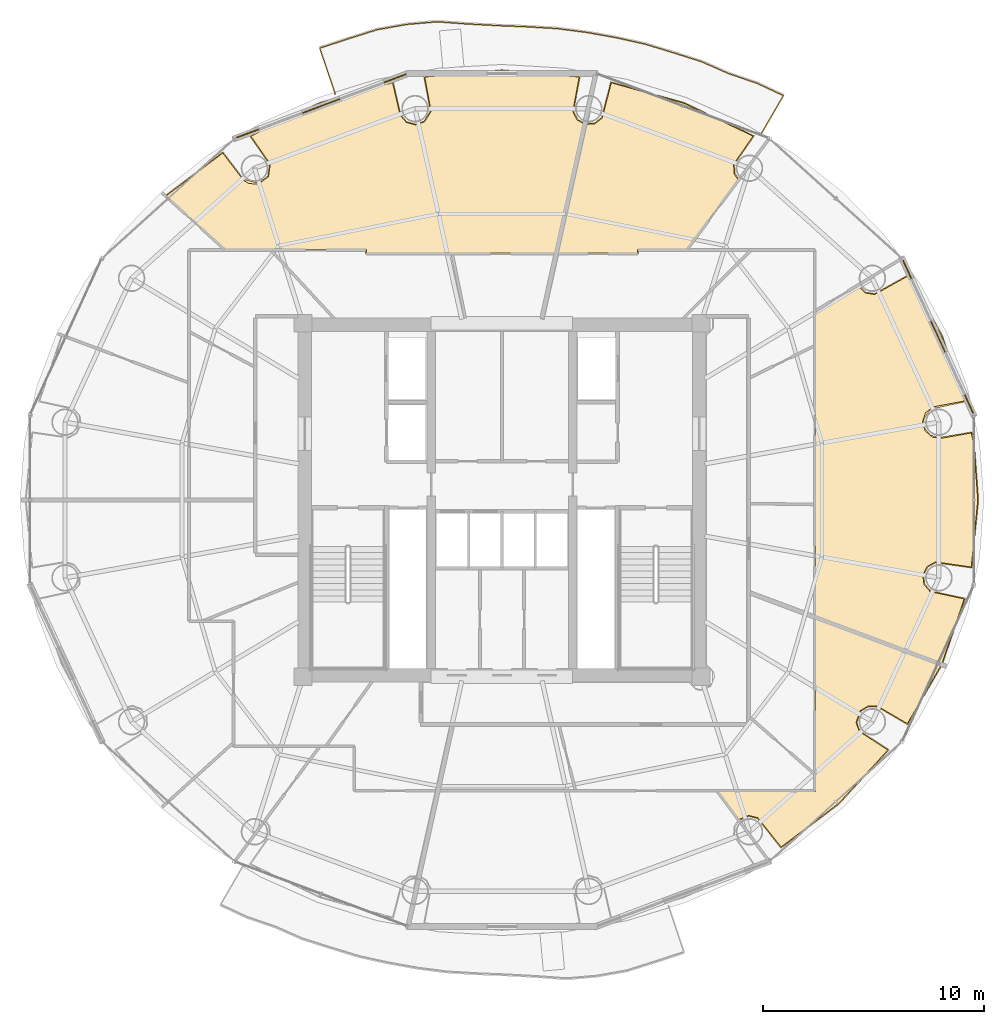
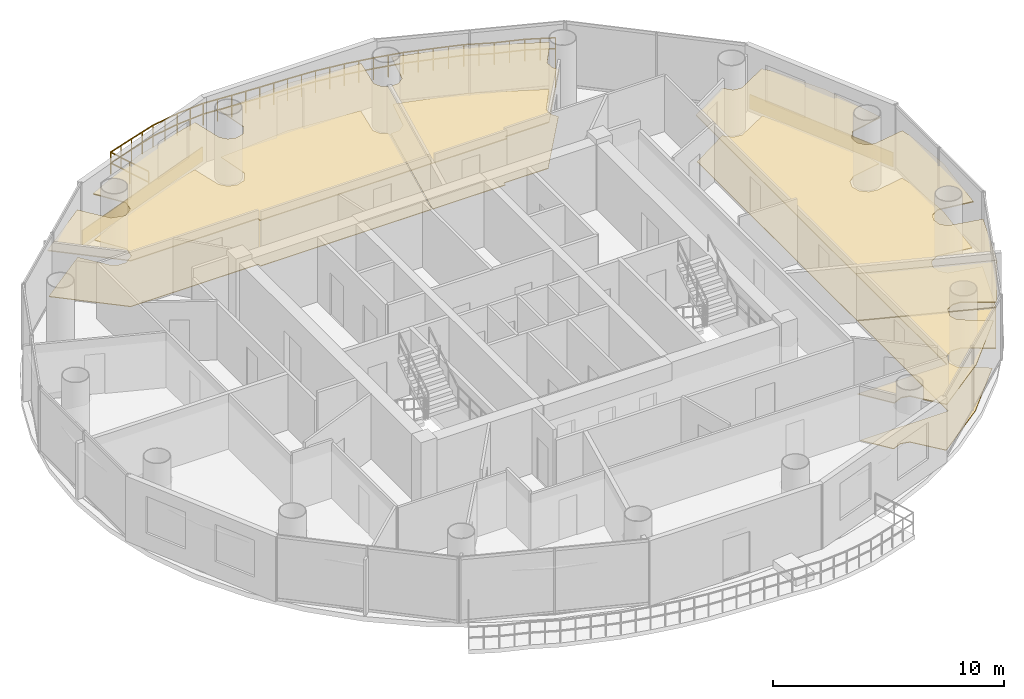
# One storey, part 26 of 26: 10 coverings, 1 railing.
"""IFC4 building model written with IfcOpenShell, lengths in metres."""

from ifc_helpers import new_model, si_unit, direction, frame, origin, origin_2d, place, context, subcontext, project, spatial, polyline, rectangle, outline, extrude, source, transform, mapped, material, layer, layer_set, type_object, element, save


model = new_model("IFC4")

# Units and contexts
model_context = context("Model", 3, precision=1e-05, world=origin(), true_north=direction((-0.2419218956, 0.970295726276)))
body_context = subcontext(model_context, "Body", "Model", "MODEL_VIEW")
ifc_project = project(units=[si_unit("LENGTHUNIT", "METRE"), si_unit("AREAUNIT", "SQUARE_METRE"), si_unit("VOLUMEUNIT", "CUBIC_METRE"), si_unit("PLANEANGLEUNIT", "RADIAN"), si_unit("MASSUNIT", "GRAM", prefix="KILO")], contexts=[model_context])

# Site, building, storey
site_placement = place(None, origin())
site = spatial("IfcSite", under=ifc_project, at=site_placement, CompositionType="ELEMENT")
building_placement = place(site_placement, origin())
building = spatial("IfcBuilding", under=site, at=building_placement, Name="Cobrevalo Terracotta Tower", CompositionType="ELEMENT")
storey_placement = place(building_placement, frame((0.0, 0.0, 235.60009765625)))
storey = spatial("IfcBuildingStorey", under=building, at=storey_placement, Name="L62", CompositionType="ELEMENT", Elevation=235.60009765625)

# Railing
ifc_material_1 = material(Name="Laminated structural glass and stainless steel", Category="steel")
railing_type = type_object("IfcRailingType", Name="Balcony lobe structural glass & terracotta-cap balustrade 1180 mm", PredefinedType="BALUSTRADE", material=ifc_material_1)
railing_placement = place(storey_placement, frame((49.685791015625, 43.28125, 0.0)))
element("IfcRailing", 1, at=railing_placement, inside=storey, type_object=railing_type, Name="L62 spiralling balcony lobe balustrade 1", PredefinedType="BALUSTRADE", context=body_context, shape_type="SweptSolid", body=[
    extrude(rectangle(XDim=0.048095703125, YDim=0.048095703125, at=origin_2d()), frame((0.0, 0.0, 1.15576171875), z_axis=(0.501330510407, 0.865255869287, 0.0), x_axis=(-0.865255869287, 0.501330510407, 0.0)), (0.0, 0.0, 1.0), 2.093017578125),
    extrude(rectangle(XDim=0.048095703125, YDim=0.048095703125, at=origin_2d()), frame((0.0, 0.0, 0.58984375), z_axis=(0.501330510407, 0.865255869287, 0.0), x_axis=(-0.865255869287, 0.501330510407, 0.0)), (0.0, 0.0, 1.0), 2.093017578125),
    extrude(rectangle(XDim=0.048095703125, YDim=0.048095703125, at=origin_2d()), frame((1.04931640625, 1.81103515625, 1.15576171875), z_axis=(-0.906042804807, 0.423186053477, 0.0), x_axis=(-0.423186053477, -0.906042804807, 0.0)), (0.0, 0.0, 1.0), 1.333740234375),
    extrude(rectangle(XDim=0.048095703125, YDim=0.048095703125, at=origin_2d()), frame((1.04931640625, 1.81103515625, 0.58984375), z_axis=(-0.906042804807, 0.423186053477, 0.0), x_axis=(-0.423186053477, -0.906042804807, 0.0)), (0.0, 0.0, 1.0), 1.333740234375),
    extrude(rectangle(XDim=0.048095703125, YDim=0.048095703125, at=origin_2d()), frame((-0.1591796875, 2.37548828125, 1.15576171875), z_axis=(-0.946852382666, 0.321668409142, 0.0), x_axis=(-0.321668409142, -0.946852382666, 0.0)), (0.0, 0.0, 1.0), 1.344970703125),
    extrude(rectangle(XDim=0.048095703125, YDim=0.048095703125, at=origin_2d()), frame((-0.1591796875, 2.37548828125, 0.58984375), z_axis=(-0.946852382666, 0.321668409142, 0.0), x_axis=(-0.321668409142, -0.946852382666, 0.0)), (0.0, 0.0, 1.0), 1.344970703125),
    extrude(rectangle(XDim=0.048095703125, YDim=0.048095703125, at=origin_2d()), frame((-1.4326171875, 2.80810546875, 1.15576171875), z_axis=(-0.91507701378, 0.403279132675, 0.0), x_axis=(-0.403279132675, -0.91507701378, 0.0)), (0.0, 0.0, 1.0), 1.331787109375),
    extrude(rectangle(XDim=0.048095703125, YDim=0.048095703125, at=origin_2d()), frame((-1.4326171875, 2.80810546875, 0.58984375), z_axis=(-0.91507701378, 0.403279132675, 0.0), x_axis=(-0.403279132675, -0.91507701378, 0.0)), (0.0, 0.0, 1.0), 1.331787109375),
    extrude(rectangle(XDim=0.048095703125, YDim=0.048095703125, at=origin_2d()), frame((-2.6513671875, 3.34521484375, 1.15576171875), z_axis=(-0.953224239843, 0.302264037849, 0.0), x_axis=(-0.302264037849, -0.953224239843, 0.0)), (0.0, 0.0, 1.0), 1.3408203125),
    extrude(rectangle(XDim=0.048095703125, YDim=0.048095703125, at=origin_2d()), frame((-2.6513671875, 3.34521484375, 0.58984375), z_axis=(-0.953224239843, 0.302264037849, 0.0), x_axis=(-0.302264037849, -0.953224239843, 0.0)), (0.0, 0.0, 1.0), 1.3408203125),
    extrude(rectangle(XDim=0.048095703125, YDim=0.048095703125, at=origin_2d()), frame((-3.929443359375, 3.75048828125, 1.15576171875), z_axis=(-0.956422199644, 0.291987287444, 0.0), x_axis=(-0.291987287444, -0.956422199644, 0.0)), (0.0, 0.0, 1.0), 1.341064453125),
    extrude(rectangle(XDim=0.048095703125, YDim=0.048095703125, at=origin_2d()), frame((-3.929443359375, 3.75048828125, 0.58984375), z_axis=(-0.956422199644, 0.291987287444, 0.0), x_axis=(-0.291987287444, -0.956422199644, 0.0)), (0.0, 0.0, 1.0), 1.341064453125),
    extrude(rectangle(XDim=0.048095703125, YDim=0.048095703125, at=origin_2d()), frame((-5.212158203125, 4.14208984375, 1.15576171875), z_axis=(-0.976472605786, 0.215641485222, 0.0), x_axis=(-0.215641485222, -0.976472605786, 0.0)), (0.0, 0.0, 1.0), 1.343994140625),
    extrude(rectangle(XDim=0.048095703125, YDim=0.048095703125, at=origin_2d()), frame((-5.212158203125, 4.14208984375, 0.58984375), z_axis=(-0.976472605786, 0.215641485222, 0.0), x_axis=(-0.215641485222, -0.976472605786, 0.0)), (0.0, 0.0, 1.0), 1.343994140625),
    extrude(rectangle(XDim=0.048095703125, YDim=0.048095703125, at=origin_2d()), frame((-6.5244140625, 4.431884765625, 1.15576171875), z_axis=(-0.984276053108, 0.176637060884, 0.0), x_axis=(-0.176637060884, -0.984276053108, 0.0)), (0.0, 0.0, 1.0), 1.34765625),
    extrude(rectangle(XDim=0.048095703125, YDim=0.048095703125, at=origin_2d()), frame((-6.5244140625, 4.431884765625, 0.58984375), z_axis=(-0.984276053108, 0.176637060884, 0.0), x_axis=(-0.176637060884, -0.984276053108, 0.0)), (0.0, 0.0, 1.0), 1.34765625),
    extrude(rectangle(XDim=0.048095703125, YDim=0.048095703125, at=origin_2d()), frame((-7.850830078125, 4.669921875, 1.15576171875), z_axis=(-0.991753356917, 0.128161144826, 0.0), x_axis=(-0.128161144826, -0.991753356917, 0.0)), (0.0, 0.0, 1.0), 1.3466796875),
    extrude(rectangle(XDim=0.048095703125, YDim=0.048095703125, at=origin_2d()), frame((-7.850830078125, 4.669921875, 0.58984375), z_axis=(-0.991753356917, 0.128161144826, 0.0), x_axis=(-0.128161144826, -0.991753356917, 0.0)), (0.0, 0.0, 1.0), 1.3466796875),
    extrude(rectangle(XDim=0.048095703125, YDim=0.048095703125, at=origin_2d()), frame((-9.1865234375, 4.842529296875, 1.15576171875), z_axis=(-0.99819879056, 0.059993120649, 0.0), x_axis=(-0.059993120649, -0.99819879056, 0.0)), (0.0, 0.0, 1.0), 1.35107421875),
    extrude(rectangle(XDim=0.048095703125, YDim=0.048095703125, at=origin_2d()), frame((-9.1865234375, 4.842529296875, 0.58984375), z_axis=(-0.99819879056, 0.059993120649, 0.0), x_axis=(-0.059993120649, -0.99819879056, 0.0)), (0.0, 0.0, 1.0), 1.35107421875),
    extrude(rectangle(XDim=0.048095703125, YDim=0.048095703125, at=origin_2d()), frame((-10.53515625, 4.923583984375, 1.15576171875), z_axis=(-0.999193719982, 0.040148598341, 0.0), x_axis=(-0.040148598341, -0.999193719982, 0.0)), (0.0, 0.0, 1.0), 1.349853515625),
    extrude(rectangle(XDim=0.048095703125, YDim=0.048095703125, at=origin_2d()), frame((-10.53515625, 4.923583984375, 0.58984375), z_axis=(-0.999193719982, 0.040148598341, 0.0), x_axis=(-0.040148598341, -0.999193719982, 0.0)), (0.0, 0.0, 1.0), 1.349853515625),
    extrude(rectangle(XDim=0.048095703125, YDim=0.048095703125, at=origin_2d()), frame((-11.884033203125, 4.977783203125, 1.15576171875), z_axis=(-0.998538871626, 0.054038151809, 0.0), x_axis=(-0.054038151809, -0.998538871626, 0.0)), (0.0, 0.0, 1.0), 1.35986328125),
    extrude(rectangle(XDim=0.048095703125, YDim=0.048095703125, at=origin_2d()), frame((-11.884033203125, 4.977783203125, 0.58984375), z_axis=(-0.998538871626, 0.054038151809, 0.0), x_axis=(-0.054038151809, -0.998538871626, 0.0)), (0.0, 0.0, 1.0), 1.35986328125),
    extrude(rectangle(XDim=0.048095703125, YDim=0.048095703125, at=origin_2d()), frame((-13.241943359375, 5.05126953125, 1.15576171875), z_axis=(-0.997393656482, 0.072151881533, 0.0), x_axis=(-0.072151881533, -0.997393656482, 0.0)), (0.0, 0.0, 1.0), 1.380615234375),
    extrude(rectangle(XDim=0.048095703125, YDim=0.048095703125, at=origin_2d()), frame((-13.241943359375, 5.05126953125, 0.58984375), z_axis=(-0.997393656482, 0.072151881533, 0.0), x_axis=(-0.072151881533, -0.997393656482, 0.0)), (0.0, 0.0, 1.0), 1.380615234375),
    extrude(rectangle(XDim=0.048095703125, YDim=0.048095703125, at=origin_2d()), frame((-14.618896484375, 5.15087890625, 1.15576171875), z_axis=(-0.996297924176, -0.085967704879, 0.0), x_axis=(0.085967704879, -0.996297924176, 0.0)), (0.0, 0.0, 1.0), 1.368896484375),
    extrude(rectangle(XDim=0.048095703125, YDim=0.048095703125, at=origin_2d()), frame((-14.618896484375, 5.15087890625, 0.58984375), z_axis=(-0.996297924176, -0.085967704879, 0.0), x_axis=(0.085967704879, -0.996297924176, 0.0)), (0.0, 0.0, 1.0), 1.368896484375),
    extrude(rectangle(XDim=0.048095703125, YDim=0.048095703125, at=origin_2d()), frame((-15.982666015625, 5.033203125, 1.15576171875), z_axis=(-0.984535223792, -0.175186737832, 0.0), x_axis=(0.175186737832, -0.984535223792, 0.0)), (0.0, 0.0, 1.0), 1.371337890625),
    extrude(rectangle(XDim=0.048095703125, YDim=0.048095703125, at=origin_2d()), frame((-15.982666015625, 5.033203125, 0.58984375), z_axis=(-0.984535223792, -0.175186737832, 0.0), x_axis=(0.175186737832, -0.984535223792, 0.0)), (0.0, 0.0, 1.0), 1.371337890625),
    extrude(rectangle(XDim=0.048095703125, YDim=0.048095703125, at=origin_2d()), frame((-17.332763671875, 4.79296875, 1.15576171875), z_axis=(-0.953655593491, -0.30090033068, 0.0), x_axis=(0.30090033068, -0.953655593491, 0.0)), (0.0, 0.0, 1.0), 1.365478515625),
    extrude(rectangle(XDim=0.048095703125, YDim=0.048095703125, at=origin_2d()), frame((-17.332763671875, 4.79296875, 0.58984375), z_axis=(-0.953655593491, -0.30090033068, 0.0), x_axis=(0.30090033068, -0.953655593491, 0.0)), (0.0, 0.0, 1.0), 1.365478515625),
    extrude(rectangle(XDim=0.048095703125, YDim=0.048095703125, at=origin_2d()), frame((-18.635009765625, 4.382080078125, 1.15576171875), z_axis=(-0.95030353613, -0.311324893351, 0.0), x_axis=(0.311324893351, -0.95030353613, 0.0)), (0.0, 0.0, 1.0), 1.360595703125),
    extrude(rectangle(XDim=0.048095703125, YDim=0.048095703125, at=origin_2d()), frame((-18.635009765625, 4.382080078125, 0.58984375), z_axis=(-0.95030353613, -0.311324893351, 0.0), x_axis=(0.311324893351, -0.95030353613, 0.0)), (0.0, 0.0, 1.0), 1.360595703125),
    extrude(rectangle(XDim=0.048095703125, YDim=0.048095703125, at=origin_2d()), frame((-19.927978515625, 3.95849609375, 1.15576171875), z_axis=(0.318322534742, -0.947982470236, 0.0), x_axis=(0.947982470236, 0.318322534742, 0.0)), (0.0, 0.0, 1.0), 2.201904296875),
    extrude(rectangle(XDim=0.048095703125, YDim=0.048095703125, at=origin_2d()), frame((-19.927978515625, 3.95849609375, 0.58984375), z_axis=(0.318322534742, -0.947982470236, 0.0), x_axis=(0.947982470236, 0.318322534742, 0.0)), (0.0, 0.0, 1.0), 2.201904296875),
    extrude(rectangle(XDim=0.0419921875, YDim=0.0419921875, at=origin_2d()), origin(), (0.0, 0.0, 1.0), 1.1318359375),
    extrude(rectangle(XDim=0.0419921875, YDim=0.0419921875, at=origin_2d()), frame((0.524658203125, 0.905517578125, 0.0)), (0.0, 0.0, 1.0), 1.1318359375),
    extrude(rectangle(XDim=0.0419921875, YDim=0.0419921875, at=origin_2d()), frame((1.04931640625, 1.81103515625, 0.0)), (0.0, 0.0, 1.0), 1.1318359375),
    extrude(rectangle(XDim=0.0419921875, YDim=0.0419921875, at=origin_2d()), frame((0.445068359375, 2.09326171875, 0.0)), (0.0, 0.0, 1.0), 1.1318359375),
    extrude(rectangle(XDim=0.0419921875, YDim=0.0419921875, at=origin_2d()), frame((-0.1591796875, 2.37548828125, 0.0)), (0.0, 0.0, 1.0), 1.1318359375),
    extrude(rectangle(XDim=0.0419921875, YDim=0.0419921875, at=origin_2d()), frame((-0.7958984375, 2.591796875, 0.0)), (0.0, 0.0, 1.0), 1.1318359375),
    extrude(rectangle(XDim=0.0419921875, YDim=0.0419921875, at=origin_2d()), frame((-1.4326171875, 2.80810546875, 0.0)), (0.0, 0.0, 1.0), 1.1318359375),
    extrude(rectangle(XDim=0.0419921875, YDim=0.0419921875, at=origin_2d()), frame((-2.0419921875, 3.07666015625, 0.0)), (0.0, 0.0, 1.0), 1.1318359375),
    extrude(rectangle(XDim=0.0419921875, YDim=0.0419921875, at=origin_2d()), frame((-2.6513671875, 3.34521484375, 0.0)), (0.0, 0.0, 1.0), 1.1318359375),
    extrude(rectangle(XDim=0.0419921875, YDim=0.0419921875, at=origin_2d()), frame((-3.29052734375, 3.5478515625, 0.0)), (0.0, 0.0, 1.0), 1.1318359375),
    extrude(rectangle(XDim=0.0419921875, YDim=0.0419921875, at=origin_2d()), frame((-3.929443359375, 3.75048828125, 0.0)), (0.0, 0.0, 1.0), 1.1318359375),
    extrude(rectangle(XDim=0.0419921875, YDim=0.0419921875, at=origin_2d()), frame((-4.57080078125, 3.9462890625, 0.0)), (0.0, 0.0, 1.0), 1.1318359375),
    extrude(rectangle(XDim=0.0419921875, YDim=0.0419921875, at=origin_2d()), frame((-5.212158203125, 4.14208984375, 0.0)), (0.0, 0.0, 1.0), 1.1318359375),
    extrude(rectangle(XDim=0.0419921875, YDim=0.0419921875, at=origin_2d()), frame((-5.8681640625, 4.287109375, 0.0)), (0.0, 0.0, 1.0), 1.1318359375),
    extrude(rectangle(XDim=0.0419921875, YDim=0.0419921875, at=origin_2d()), frame((-6.5244140625, 4.431884765625, 0.0)), (0.0, 0.0, 1.0), 1.1318359375),
    extrude(rectangle(XDim=0.0419921875, YDim=0.0419921875, at=origin_2d()), frame((-7.1875, 4.55078125, 0.0)), (0.0, 0.0, 1.0), 1.1318359375),
    extrude(rectangle(XDim=0.0419921875, YDim=0.0419921875, at=origin_2d()), frame((-7.850830078125, 4.669921875, 0.0)), (0.0, 0.0, 1.0), 1.1318359375),
    extrude(rectangle(XDim=0.0419921875, YDim=0.0419921875, at=origin_2d()), frame((-8.5185546875, 4.75634765625, 0.0)), (0.0, 0.0, 1.0), 1.1318359375),
    extrude(rectangle(XDim=0.0419921875, YDim=0.0419921875, at=origin_2d()), frame((-9.1865234375, 4.842529296875, 0.0)), (0.0, 0.0, 1.0), 1.1318359375),
    extrude(rectangle(XDim=0.0419921875, YDim=0.0419921875, at=origin_2d()), frame((-9.86083984375, 4.883056640625, 0.0)), (0.0, 0.0, 1.0), 1.1318359375),
    extrude(rectangle(XDim=0.0419921875, YDim=0.0419921875, at=origin_2d()), frame((-10.53515625, 4.923583984375, 0.0)), (0.0, 0.0, 1.0), 1.1318359375),
    extrude(rectangle(XDim=0.0419921875, YDim=0.0419921875, at=origin_2d()), frame((-11.20947265625, 4.95068359375, 0.0)), (0.0, 0.0, 1.0), 1.1318359375),
    extrude(rectangle(XDim=0.0419921875, YDim=0.0419921875, at=origin_2d()), frame((-11.884033203125, 4.977783203125, 0.0)), (0.0, 0.0, 1.0), 1.1318359375),
    extrude(rectangle(XDim=0.0419921875, YDim=0.0419921875, at=origin_2d()), frame((-12.56298828125, 5.0146484375, 0.0)), (0.0, 0.0, 1.0), 1.1318359375),
    extrude(rectangle(XDim=0.0419921875, YDim=0.0419921875, at=origin_2d()), frame((-13.241943359375, 5.05126953125, 0.0)), (0.0, 0.0, 1.0), 1.1318359375),
    extrude(rectangle(XDim=0.0419921875, YDim=0.0419921875, at=origin_2d()), frame((-13.930419921875, 5.10107421875, 0.0)), (0.0, 0.0, 1.0), 1.1318359375),
    extrude(rectangle(XDim=0.0419921875, YDim=0.0419921875, at=origin_2d()), frame((-14.618896484375, 5.15087890625, 0.0)), (0.0, 0.0, 1.0), 1.1318359375),
    extrude(rectangle(XDim=0.0419921875, YDim=0.0419921875, at=origin_2d()), frame((-15.30078125, 5.092041015625, 0.0)), (0.0, 0.0, 1.0), 1.1318359375),
    extrude(rectangle(XDim=0.0419921875, YDim=0.0419921875, at=origin_2d()), frame((-15.982666015625, 5.033203125, 0.0)), (0.0, 0.0, 1.0), 1.1318359375),
    extrude(rectangle(XDim=0.0419921875, YDim=0.0419921875, at=origin_2d()), frame((-16.65771484375, 4.9130859375, 0.0)), (0.0, 0.0, 1.0), 1.1318359375),
    extrude(rectangle(XDim=0.0419921875, YDim=0.0419921875, at=origin_2d()), frame((-17.332763671875, 4.79296875, 0.0)), (0.0, 0.0, 1.0), 1.1318359375),
    extrude(rectangle(XDim=0.0419921875, YDim=0.0419921875, at=origin_2d()), frame((-17.98388671875, 4.58740234375, 0.0)), (0.0, 0.0, 1.0), 1.1318359375),
    extrude(rectangle(XDim=0.0419921875, YDim=0.0419921875, at=origin_2d()), frame((-18.635009765625, 4.382080078125, 0.0)), (0.0, 0.0, 1.0), 1.1318359375),
    extrude(rectangle(XDim=0.0419921875, YDim=0.0419921875, at=origin_2d()), frame((-19.281494140625, 4.17041015625, 0.0)), (0.0, 0.0, 1.0), 1.1318359375),
    extrude(rectangle(XDim=0.0419921875, YDim=0.0419921875, at=origin_2d()), frame((-19.927978515625, 3.95849609375, 0.0)), (0.0, 0.0, 1.0), 1.1318359375),
    extrude(rectangle(XDim=0.0419921875, YDim=0.0419921875, at=origin_2d()), frame((-19.57763671875, 2.914794921875, 0.0)), (0.0, 0.0, 1.0), 1.1318359375),
    extrude(rectangle(XDim=0.0419921875, YDim=0.0419921875, at=origin_2d()), frame((-19.22705078125, 1.87109375, 0.0)), (0.0, 0.0, 1.0), 1.1318359375),
])

# Coverings
ifc_material_2 = material(Name="Engineered Brazilian hardwood flooring", Category="wood")
ifc_layer_1 = layer(ifc_material_2, 0.028076171875)
ifc_layer_set_1 = layer_set([ifc_layer_1], Name="Engineered Brazilian hardwood flooring")
covering_type_1 = type_object("IfcCoveringType", Name="Engineered Hardwood Suite Flooring 28", PredefinedType="FLOORING", material=ifc_layer_set_1)
covering_1_placement = place(storey_placement, origin())
element("IfcCovering", 2, at=covering_1_placement, inside=storey, type_object=covering_type_1, Name="Flat L62A Penthouse Living and Dining Room floor finish", PredefinedType="FLOORING", context=body_context, shape_type="SweptSolid", body=[
    extrude(outline(polyline([(54.096435546875, 36.495849609375), (54.437255859375, 36.1591796875), (54.8623046875, 36.095947265625), (56.337890625, 36.91357421875), (57.882080078125, 34.23095703125), (58.786865234375, 31.82568359375), (58.90771484375, 31.277099609375), (57.493408203125, 31.0107421875), (57.15576171875, 30.744873046875), (57.02294921875, 30.336181640625), (57.139404296875, 29.922607421875), (57.466064453125, 29.643310546875), (57.8916015625, 29.5927734375), (59.2265625, 29.83056640625), (59.3359375, 29.33447265625), (59.52001953125, 26.800048828125), (59.2265625, 23.76953125), (57.60400390625, 24.00146484375), (57.229248046875, 23.791259765625), (57.0341796875, 23.408447265625), (57.0849609375, 22.981689453125), (57.364013671875, 22.655029296875), (58.90771484375, 22.322998046875), (57.885498046875, 19.3779296875), (52.175048828125, 21.515380859375), (52.175048828125, 35.335693359375), (54.096435546875, 36.495849609375)])), origin(), (0.0, 0.0, 1.0), 0.02978515625),
])
covering_2_placement = place(storey_placement, origin())
element("IfcCovering", 3, at=covering_2_placement, inside=storey, type_object=covering_type_1, Name="Flat L62A Penthouse Family Lounge floor finish", PredefinedType="FLOORING", context=body_context, shape_type="SweptSolid", body=[
    extrude(outline(polyline([(44.125, 37.965087890625), (40.47802734375, 37.965087890625), (41.759765625, 43.78759765625), (42.198974609375, 43.813232421875), (42.537109375, 44.078369140625), (42.9482421875, 45.669921875), (46.236083984375, 44.741455078125), (49.3544921875, 43.259765625), (48.477294921875, 41.98974609375), (48.497314453125, 41.560546875), (48.681396484375, 41.279541015625), (46.348876953125, 38.125), (44.125, 38.125), (44.125, 37.965087890625)])), origin(), (0.0, 0.0, 1.0), 0.02978515625),
])
covering_3_placement = place(storey_placement, origin())
element("IfcCovering", 4, at=covering_3_placement, inside=storey, type_object=covering_type_1, Name="Flat L62B Penthouse Living and Dining Room floor finish", PredefinedType="FLOORING", context=body_context, shape_type="SweptSolid", body=[
    extrude(outline(polyline([(25.3720703125, 42.49169921875), (26.309814453125, 41.25830078125), (26.557861328125, 41.110595703125), (26.987060546875, 41.090576171875), (27.441162109375, 41.42919921875), (27.522705078125, 41.98974609375), (26.6455078125, 43.259765625), (29.763916015625, 44.741455078125), (33.0517578125, 45.669921875), (33.3916015625, 44.204833984375), (33.67138671875, 43.87890625), (34.08544921875, 43.76318359375), (34.49365234375, 43.89697265625), (34.7978515625, 44.375), (34.509765625, 45.931640625), (38.0, 46.219970703125), (41.490234375, 45.931640625), (41.2021484375, 44.375), (41.396240234375, 43.991455078125), (41.720947265625, 43.797119140625), (40.43701171875, 37.965087890625), (31.875, 37.965087890625), (31.875, 38.125), (25.49755859375, 38.125), (22.810302734375, 40.553466796875), (25.3720703125, 42.49169921875)])), origin(), (0.0, 0.0, 1.0), 0.02978515625),
])
covering_4_placement = place(storey_placement, origin())
element("IfcCovering", 5, at=covering_4_placement, inside=storey, type_object=covering_type_1, Name="Flat L62D Master Bedroom floor finish", PredefinedType="FLOORING", context=body_context, shape_type="SweptSolid", body=[
    extrude(outline(polyline([(53.217529296875, 13.068603515625), (50.6279296875, 11.108154296875), (49.573486328125, 12.427734375), (49.156494140625, 12.531005859375), (48.7109375, 12.34765625), (47.7666015625, 13.625), (52.175048828125, 13.625), (52.175048828125, 21.47265625), (57.867431640625, 19.342041015625), (56.337890625, 16.6865234375), (55.0029296875, 17.468994140625), (54.57373046875, 17.48974609375), (54.205322265625, 17.2685546875), (54.014892578125, 16.735107421875), (54.159912109375, 16.330810546875), (55.453125, 15.4912109375), (53.217529296875, 13.068603515625)])), origin(), (0.0, 0.0, 1.0), 0.02978515625),
])
ifc_material_3 = material(Name="Acoustic perforated gypsum ceiling", Category="gypsum")
ifc_layer_2 = layer(ifc_material_3, 0.050048828125)
ifc_layer_set_2 = layer_set([ifc_layer_2], Name="Acoustic perforated gypsum ceiling")
covering_type_2 = type_object("IfcCoveringType", Name="Perforated Acoustic Gypsum Ceiling 50", PredefinedType="CEILING", material=ifc_layer_set_2)
covering_5_placement = place(storey_placement, frame((0.0, 0.0, 2.44482421875)))
element("IfcCovering", 6, at=covering_5_placement, inside=storey, type_object=covering_type_2, Name="Flat L62A Penthouse Living and Dining Room acoustic ceiling", PredefinedType="CEILING", context=body_context, shape_type="SweptSolid", body=[
    extrude(outline(polyline([(54.115966796875, 36.56005859375), (54.45654296875, 36.199951171875), (54.855712890625, 36.140625), (56.349853515625, 36.97314453125), (56.67529296875, 36.533447265625), (57.923095703125, 34.249755859375), (58.961669921875, 31.240966796875), (57.388427734375, 30.90673828125), (57.084228515625, 30.470458984375), (57.11572265625, 30.068359375), (57.365234375, 29.75146484375), (57.7490234375, 29.626708984375), (59.26123046875, 29.88232421875), (59.380615234375, 29.341064453125), (59.565185546875, 26.800048828125), (59.26123046875, 23.717529296875), (57.613525390625, 23.957275390625), (57.26171875, 23.760009765625), (57.07861328125, 23.400634765625), (57.126220703125, 23.0), (57.388427734375, 22.693359375), (58.961669921875, 22.359130859375), (57.911865234375, 19.320068359375), (52.1298828125, 21.484375), (52.1298828125, 35.361083984375), (54.115966796875, 36.56005859375)])), origin(), (0.0, 0.0, 1.0), 0.050048828125),
])
covering_6_placement = place(storey_placement, frame((0.0, 0.0, 2.44482421875)))
element("IfcCovering", 7, at=covering_6_placement, inside=storey, type_object=covering_type_2, Name="Flat L62A Penthouse Family Lounge acoustic ceiling", PredefinedType="CEILING", context=body_context, shape_type="SweptSolid", body=[
    extrude(outline(polyline([(44.169921875, 37.919921875), (40.422119140625, 37.919921875), (41.724853515625, 43.838623046875), (42.1826171875, 43.85546875), (42.500244140625, 44.1044921875), (42.91357421875, 45.7216796875), (46.251708984375, 44.78369140625), (49.420166015625, 43.272705078125), (48.521240234375, 41.978759765625), (48.539794921875, 41.57568359375), (48.74169921875, 41.285400390625), (46.37158203125, 38.080078125), (44.169921875, 38.080078125), (44.169921875, 37.919921875)])), origin(), (0.0, 0.0, 1.0), 0.050048828125),
])
covering_7_placement = place(storey_placement, frame((0.0, 0.0, 2.44482421875)))
element("IfcCovering", 8, at=covering_7_placement, inside=storey, type_object=covering_type_2, Name="Flat L62B Penthouse Living and Dining Room acoustic ceiling", PredefinedType="CEILING", context=body_context, shape_type="SweptSolid", body=[
    extrude(outline(polyline([(25.3837890625, 42.55126953125), (26.340087890625, 41.2919921875), (26.975830078125, 41.134521484375), (27.40234375, 41.452392578125), (27.478759765625, 41.978759765625), (26.579833984375, 43.272705078125), (29.748291015625, 44.78369140625), (33.08642578125, 45.7216796875), (33.43310546875, 44.22314453125), (33.69580078125, 43.9169921875), (34.084228515625, 43.808349609375), (34.4677734375, 43.93408203125), (34.753173828125, 44.3828125), (34.455810546875, 45.967529296875), (38.0, 46.26513671875), (41.544189453125, 45.967529296875), (41.246826171875, 44.3828125), (41.428955078125, 44.02294921875), (41.7734375, 43.8271484375), (40.473388671875, 37.919921875), (31.830078125, 37.919921875), (31.830078125, 38.080078125), (25.480224609375, 38.080078125), (22.74072265625, 40.5556640625), (25.3837890625, 42.55126953125)])), origin(), (0.0, 0.0, 1.0), 0.050048828125),
])
covering_8_placement = place(storey_placement, frame((0.0, 0.0, 2.44482421875)))
element("IfcCovering", 9, at=covering_8_placement, inside=storey, type_object=covering_type_2, Name="Flat L62D Master Bedroom acoustic ceiling", PredefinedType="CEILING", context=body_context, shape_type="SweptSolid", body=[
    extrude(outline(polyline([(53.247802734375, 13.03515625), (50.6162109375, 11.048583984375), (49.55029296875, 12.388916015625), (49.15869140625, 12.48583984375), (48.70458984375, 12.28076171875), (47.67724609375, 13.669921875), (52.1298828125, 13.669921875), (52.1298828125, 21.53759765625), (57.931884765625, 19.365966796875), (56.349853515625, 16.626953125), (54.98779296875, 17.42626953125), (54.5849609375, 17.44580078125), (54.239013671875, 17.23828125), (54.06005859375, 16.737548828125), (54.1962890625, 16.357666015625), (55.518798828125, 15.50439453125), (53.247802734375, 13.03515625)])), origin(), (0.0, 0.0, 1.0), 0.050048828125),
])
ifc_material_4 = material(Name="Glazed terracotta facade cladding tile", Category="masonry")
ifc_layer_3 = layer(ifc_material_4, 0.044921875)
ifc_layer_set_3 = layer_set([ifc_layer_3], Name="Glazed terracotta facade cladding tile")
covering_type_3 = type_object("IfcCoveringType", Name="Architectural terracotta rainscreen spandrel cladding 45 mm", PredefinedType="CLADDING", material=ifc_layer_set_3)
shared_shape_1 = source(origin(), body_context, "Body", "SweptSolid", [
    extrude(rectangle(XDim=7.60009765625, YDim=0.044921875, at=origin_2d()), origin(), (0.0, 0.0, 1.0), 0.760009765625),
])
covering_9_placement = place(storey_placement, frame((57.726318359375, 34.182861328125, 0.0400390625), z_axis=(0.0, 0.0, 1.0), x_axis=(-0.416731425355, 0.909029657999, 0.0)))
element("IfcCovering", 10, at=covering_9_placement, inside=storey, type_object=covering_type_3, Name="L62 terracotta spandrel cladding S01", PredefinedType="CLADDING", context=body_context, shape_type="MappedRepresentation", body=[
    mapped(shared_shape_1, transform((0.0, 0.0, 0.0), scale=1.0)),
])
shared_shape_2 = source(origin(), body_context, "Body", "SweptSolid", [
    extrude(rectangle(XDim=8.17919921875, YDim=0.044921875, at=origin_2d()), origin(), (0.0, 0.0, 1.0), 0.760009765625),
])
covering_10_placement = place(storey_placement, frame((29.8291015625, 44.62353515625, 0.0400390625), z_axis=(0.0, 0.0, 1.0), x_axis=(-0.936557839879, -0.350513070458, 0.0)))
element("IfcCovering", 11, at=covering_10_placement, inside=storey, type_object=covering_type_3, Name="L62 terracotta spandrel cladding S05", PredefinedType="CLADDING", context=body_context, shape_type="MappedRepresentation", body=[
    mapped(shared_shape_2, transform((0.0, 0.0, 0.0), scale=1.0)),
])

save(model, "model.ifc")
